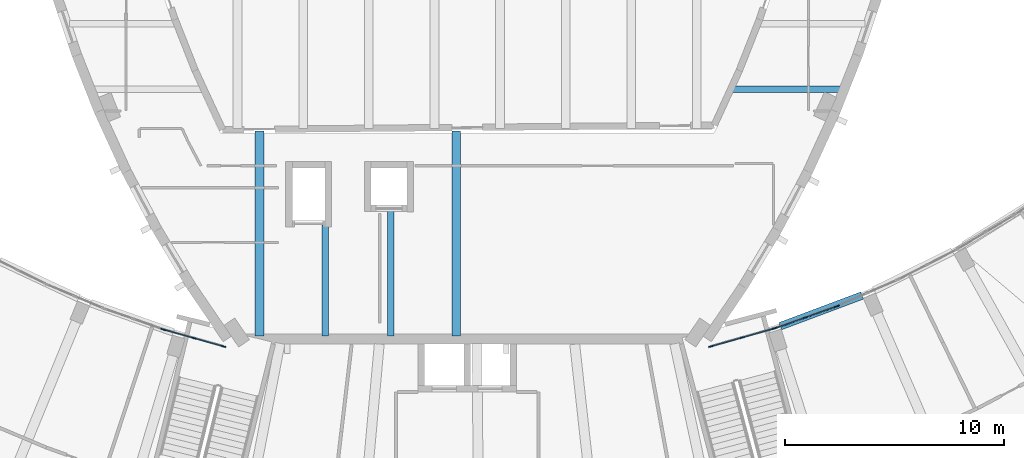
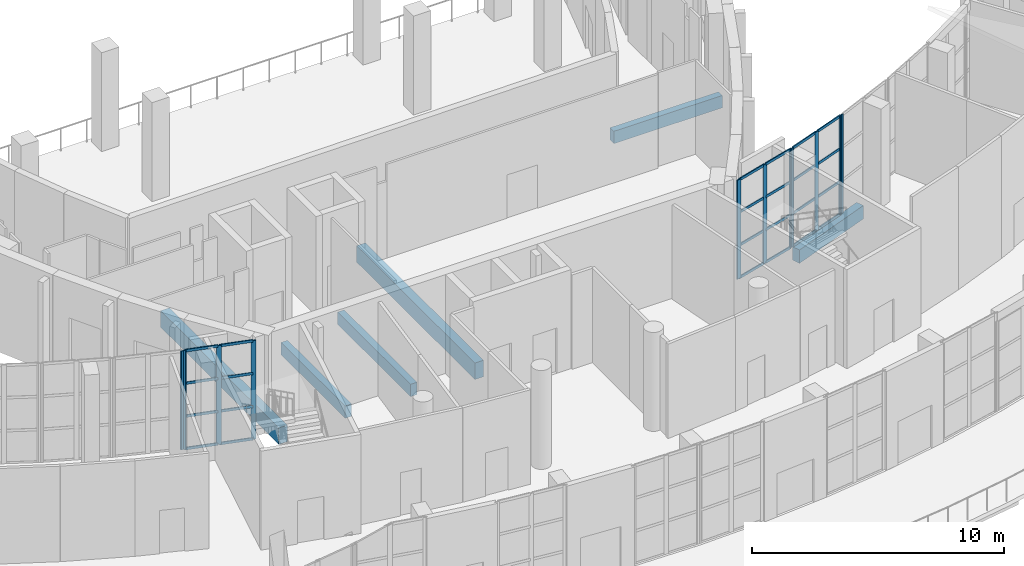
# One storey, part 20 of 93: 35 members, 6 beams, 5 elements without a shape of their own.
"""IFC4 building model written with IfcOpenShell, lengths in metres."""

from ifc_helpers import new_model, si_unit, direction, frame, origin, origin_2d, place, context, subcontext, project, spatial, rectangle, extrude, material, material_profile, profile_set, type_object, element, aggregate, save


model = new_model("IFC4")

# Units and contexts
model_context = context("Model", 3, precision=1e-05, world=origin(), true_north=direction((0.0, 1.0)))
body_context = subcontext(model_context, "Body", "Model", "MODEL_VIEW")
ifc_project = project(units=[si_unit("LENGTHUNIT", "METRE"), si_unit("AREAUNIT", "SQUARE_METRE"), si_unit("VOLUMEUNIT", "CUBIC_METRE"), si_unit("PLANEANGLEUNIT", "RADIAN"), si_unit("MASSUNIT", "GRAM", prefix="KILO")], contexts=[model_context])

# Site, building, storey
site_placement = place(None, origin())
site = spatial("IfcSite", under=ifc_project, at=site_placement, CompositionType="ELEMENT")
building_placement = place(site_placement, origin())
building = spatial("IfcBuilding", under=site, at=building_placement, Name="Tide Square Theatres", CompositionType="ELEMENT")
storey_placement = place(building_placement, frame((0.0, 0.0, 5.39990234375)))
storey = spatial("IfcBuildingStorey", under=building, at=storey_placement, Name="L01", CompositionType="ELEMENT", Elevation=5.39990234375)

# Curtain wall, member
ifc_material_1 = material(Name="Aluminium 6063-T5", Category="aluminium")
curtain_wall_type = type_object("IfcCurtainWallType", Name="Unitised system curtain wall 4800 high", PredefinedType="USERDEFINED", material=ifc_material_1)
curtain_wall_1_placement = place(storey_placement, origin())
curtain_wall_1 = element("IfcCurtainWall", 1, at=curtain_wall_1_placement, inside=storey, type_object=curtain_wall_type, Name="Foyer inner curtain wall", ObjectType="UNITISED SYSTEM", PredefinedType="USERDEFINED")
ifc_material_2 = material(Name="Aluminium 6063-T5", Category="aluminium")
ifc_material_profile_1 = material_profile(ifc_material_2, rectangle(XDim=0.050048828125, YDim=0.199951171875, at=origin_2d()))
ifc_profile_set_1 = profile_set([ifc_material_profile_1], Name="Aluminium 6063-T5")
member_type_1 = type_object("IfcMemberType", Name="Aluminium mullion 50 x 200", PredefinedType="MULLION", material=ifc_profile_set_1)
member_1_placement = place(storey_placement, frame((100.93017578125, 25.09521484375, 0.0), z_axis=(0.0, 0.0, 1.0), x_axis=(0.396980103276, -0.917827215549, 0.0)))
member_1 = element("IfcMember", 2, at=member_1_placement, type_object=member_type_1, Name="CW-02 mullion 3", PredefinedType="MULLION", context=body_context, shape_type="SweptSolid", body=[
    extrude(rectangle(XDim=0.050048828125, YDim=0.199951171875, at=origin_2d()), origin(), (0.0, 0.0, 1.0), 4.800048828125),
])
aggregate(curtain_wall_1, [member_1])

# Curtain wall, members
curtain_wall_2_placement = place(storey_placement, origin())
curtain_wall_2 = element("IfcCurtainWall", 3, at=curtain_wall_2_placement, inside=storey, type_object=curtain_wall_type, Name="Foyer inner curtain wall", ObjectType="UNITISED SYSTEM", PredefinedType="USERDEFINED")
member_2_placement = place(storey_placement, frame((100.8837890625, 25.076904296875, 0.0), z_axis=(0.0, 0.0, 1.0), x_axis=(0.335723260146, -0.941960664039, 0.0)))
member_2 = element("IfcMember", 4, at=member_2_placement, type_object=member_type_1, Name="CW-02 mullion 1", PredefinedType="MULLION", context=body_context, shape_type="SweptSolid", body=[
    extrude(rectangle(XDim=0.050048828125, YDim=0.199951171875, at=origin_2d()), origin(), (0.0, 0.0, 1.0), 4.800048828125),
])
member_3_placement = place(storey_placement, frame((99.4765625, 24.575439453125, 0.0), z_axis=(0.0, 0.0, 1.0), x_axis=(0.335723260146, -0.941960664039, 0.0)))
member_3 = element("IfcMember", 5, at=member_3_placement, type_object=member_type_1, Name="CW-02 mullion 2", PredefinedType="MULLION", context=body_context, shape_type="SweptSolid", body=[
    extrude(rectangle(XDim=0.050048828125, YDim=0.199951171875, at=origin_2d()), origin(), (0.0, 0.0, 1.0), 4.800048828125),
])
member_4_placement = place(storey_placement, frame((98.0693359375, 24.073974609375, 0.0), z_axis=(0.0, 0.0, 1.0), x_axis=(0.335723260146, -0.941960664039, 0.0)))
member_4 = element("IfcMember", 6, at=member_4_placement, type_object=member_type_1, Name="CW-02 mullion 3", PredefinedType="MULLION", context=body_context, shape_type="SweptSolid", body=[
    extrude(rectangle(XDim=0.050048828125, YDim=0.199951171875, at=origin_2d()), origin(), (0.0, 0.0, 1.0), 4.800048828125),
])

curtain_wall_3_placement = place(storey_placement, origin())
curtain_wall_3 = element("IfcCurtainWall", 7, at=curtain_wall_3_placement, inside=storey, type_object=curtain_wall_type, Name="Foyer inner curtain wall", ObjectType="UNITISED SYSTEM", PredefinedType="USERDEFINED")
member_5_placement = place(storey_placement, frame((98.021728515625, 24.05859375, 0.0), z_axis=(0.0, 0.0, 1.0), x_axis=(0.272976223163, -0.962020780227, 0.0)))
member_5 = element("IfcMember", 8, at=member_5_placement, type_object=member_type_1, Name="CW-02 mullion 1", PredefinedType="MULLION", context=body_context, shape_type="SweptSolid", body=[
    extrude(rectangle(XDim=0.050048828125, YDim=0.199951171875, at=origin_2d()), origin(), (0.0, 0.0, 1.0), 4.800048828125),
])
member_6_placement = place(storey_placement, frame((96.578125, 23.649169921875, 0.0), z_axis=(0.0, 0.0, 1.0), x_axis=(0.272976223163, -0.962020780227, 0.0)))
member_6 = element("IfcMember", 9, at=member_6_placement, type_object=member_type_1, Name="CW-02 mullion 2", PredefinedType="MULLION", context=body_context, shape_type="SweptSolid", body=[
    extrude(rectangle(XDim=0.050048828125, YDim=0.199951171875, at=origin_2d()), origin(), (0.0, 0.0, 1.0), 4.800048828125),
])
member_7_placement = place(storey_placement, frame((95.134521484375, 23.239501953125, 0.0), z_axis=(0.0, 0.0, 1.0), x_axis=(0.272976223163, -0.962020780227, 0.0)))
member_7 = element("IfcMember", 10, at=member_7_placement, type_object=member_type_1, Name="CW-02 mullion 3", PredefinedType="MULLION", context=body_context, shape_type="SweptSolid", body=[
    extrude(rectangle(XDim=0.050048828125, YDim=0.199951171875, at=origin_2d()), origin(), (0.0, 0.0, 1.0), 4.800048828125),
])

curtain_wall_4_placement = place(storey_placement, origin())
curtain_wall_4 = element("IfcCurtainWall", 11, at=curtain_wall_4_placement, inside=storey, type_object=curtain_wall_type, Name="Foyer inner curtain wall", ObjectType="UNITISED SYSTEM", PredefinedType="USERDEFINED")
member_8_placement = place(storey_placement, frame((72.86572265625, 23.239501953125, 0.0), z_axis=(0.0, 0.0, 1.0), x_axis=(-0.271328006432, -0.962486941691, 0.0)))
member_8 = element("IfcMember", 12, at=member_8_placement, type_object=member_type_1, Name="CW-02 mullion 1", PredefinedType="MULLION", context=body_context, shape_type="SweptSolid", body=[
    extrude(rectangle(XDim=0.050048828125, YDim=0.199951171875, at=origin_2d()), origin(), (0.0, 0.0, 1.0), 4.800048828125),
])
member_9_placement = place(storey_placement, frame((71.497314453125, 23.625244140625, 0.0), z_axis=(0.0, 0.0, 1.0), x_axis=(-0.271328006432, -0.962486941691, 0.0)))
member_9 = element("IfcMember", 13, at=member_9_placement, type_object=member_type_1, Name="CW-02 mullion 2", PredefinedType="MULLION", context=body_context, shape_type="SweptSolid", body=[
    extrude(rectangle(XDim=0.050048828125, YDim=0.199951171875, at=origin_2d()), origin(), (0.0, 0.0, 1.0), 4.800048828125),
])
member_10_placement = place(storey_placement, frame((70.128662109375, 24.010986328125, 0.0), z_axis=(0.0, 0.0, 1.0), x_axis=(-0.271328006432, -0.962486941691, 0.0)))
member_10 = element("IfcMember", 14, at=member_10_placement, type_object=member_type_1, Name="CW-02 mullion 3", PredefinedType="MULLION", context=body_context, shape_type="SweptSolid", body=[
    extrude(rectangle(XDim=0.050048828125, YDim=0.199951171875, at=origin_2d()), origin(), (0.0, 0.0, 1.0), 4.800048828125),
])

# Curtain wall, member
curtain_wall_5_placement = place(storey_placement, origin())
curtain_wall_5 = element("IfcCurtainWall", 15, at=curtain_wall_5_placement, inside=storey, type_object=curtain_wall_type, Name="Foyer inner curtain wall", ObjectType="UNITISED SYSTEM", PredefinedType="USERDEFINED")
member_11_placement = place(storey_placement, frame((70.0810546875, 24.02587890625, 0.0), z_axis=(0.0, 0.0, 1.0), x_axis=(-0.330876191147, -0.943674173713, 0.0)))
member_11 = element("IfcMember", 16, at=member_11_placement, type_object=member_type_1, Name="CW-02 mullion 1", PredefinedType="MULLION", context=body_context, shape_type="SweptSolid", body=[
    extrude(rectangle(XDim=0.050048828125, YDim=0.199951171875, at=origin_2d()), origin(), (0.0, 0.0, 1.0), 4.800048828125),
])
aggregate(curtain_wall_5, [member_11])

# Member
ifc_material_3 = material(Name="Aluminium 6063-T5", Category="aluminium")
ifc_material_profile_2 = material_profile(ifc_material_3, rectangle(XDim=0.050048828125, YDim=0.125, at=origin_2d()))
ifc_profile_set_2 = profile_set([ifc_material_profile_2], Name="Aluminium 6063-T5")
member_type_2 = type_object("IfcMemberType", Name="Aluminium transom 50 x 125", PredefinedType="USERDEFINED", material=ifc_profile_set_2)
member_12_placement = place(storey_placement, frame((100.860107421875, 25.068603515625, 0.025146484375), z_axis=(-0.941936843853, -0.3357900865, 0.0), x_axis=(0.3357900865, -0.941936843853, 0.0)))
member_12 = element("IfcMember", 17, at=member_12_placement, type_object=member_type_2, Name="CW-02 transom 1.1", ObjectType="TRANSOM", PredefinedType="USERDEFINED", context=body_context, shape_type="SweptSolid", body=[
    extrude(rectangle(XDim=0.050048828125, YDim=0.125, at=origin_2d()), origin(), (0.0, 0.0, 1.0), 1.44384765625),
])

member_13_placement = place(storey_placement, frame((100.860107421875, 25.068603515625, 1.60009765625), z_axis=(-0.941936843853, -0.3357900865, 0.0), x_axis=(0.3357900865, -0.941936843853, 0.0)))
member_13 = element("IfcMember", 18, at=member_13_placement, type_object=member_type_2, Name="CW-02 transom 1.2", ObjectType="TRANSOM", PredefinedType="USERDEFINED", context=body_context, shape_type="SweptSolid", body=[
    extrude(rectangle(XDim=0.050048828125, YDim=0.125, at=origin_2d()), origin(), (0.0, 0.0, 1.0), 1.44384765625),
])

member_14_placement = place(storey_placement, frame((100.860107421875, 25.068603515625, 3.2001953125), z_axis=(-0.941936843853, -0.3357900865, 0.0), x_axis=(0.3357900865, -0.941936843853, 0.0)))
member_14 = element("IfcMember", 19, at=member_14_placement, type_object=member_type_2, Name="CW-02 transom 1.3", ObjectType="TRANSOM", PredefinedType="USERDEFINED", context=body_context, shape_type="SweptSolid", body=[
    extrude(rectangle(XDim=0.050048828125, YDim=0.125, at=origin_2d()), origin(), (0.0, 0.0, 1.0), 1.44384765625),
])

member_15_placement = place(storey_placement, frame((100.860107421875, 25.068603515625, 4.775146484375), z_axis=(-0.941936843853, -0.3357900865, 0.0), x_axis=(0.3357900865, -0.941936843853, 0.0)))
member_15 = element("IfcMember", 20, at=member_15_placement, type_object=member_type_2, Name="CW-02 transom 1.4", ObjectType="TRANSOM", PredefinedType="USERDEFINED", context=body_context, shape_type="SweptSolid", body=[
    extrude(rectangle(XDim=0.050048828125, YDim=0.125, at=origin_2d()), origin(), (0.0, 0.0, 1.0), 1.44384765625),
])

member_16_placement = place(storey_placement, frame((99.452880859375, 24.567138671875, 0.025146484375), z_axis=(-0.941936843853, -0.3357900865, 0.0), x_axis=(0.3357900865, -0.941936843853, 0.0)))
member_16 = element("IfcMember", 21, at=member_16_placement, type_object=member_type_2, Name="CW-02 transom 2.1", ObjectType="TRANSOM", PredefinedType="USERDEFINED", context=body_context, shape_type="SweptSolid", body=[
    extrude(rectangle(XDim=0.050048828125, YDim=0.125, at=origin_2d()), origin(), (0.0, 0.0, 1.0), 1.44384765625),
])

member_17_placement = place(storey_placement, frame((99.452880859375, 24.567138671875, 1.60009765625), z_axis=(-0.941936843853, -0.3357900865, 0.0), x_axis=(0.3357900865, -0.941936843853, 0.0)))
member_17 = element("IfcMember", 22, at=member_17_placement, type_object=member_type_2, Name="CW-02 transom 2.2", ObjectType="TRANSOM", PredefinedType="USERDEFINED", context=body_context, shape_type="SweptSolid", body=[
    extrude(rectangle(XDim=0.050048828125, YDim=0.125, at=origin_2d()), origin(), (0.0, 0.0, 1.0), 1.44384765625),
])

member_18_placement = place(storey_placement, frame((99.452880859375, 24.567138671875, 3.2001953125), z_axis=(-0.941936843853, -0.3357900865, 0.0), x_axis=(0.3357900865, -0.941936843853, 0.0)))
member_18 = element("IfcMember", 23, at=member_18_placement, type_object=member_type_2, Name="CW-02 transom 2.3", ObjectType="TRANSOM", PredefinedType="USERDEFINED", context=body_context, shape_type="SweptSolid", body=[
    extrude(rectangle(XDim=0.050048828125, YDim=0.125, at=origin_2d()), origin(), (0.0, 0.0, 1.0), 1.44384765625),
])

member_19_placement = place(storey_placement, frame((99.452880859375, 24.567138671875, 4.775146484375), z_axis=(-0.941936843853, -0.3357900865, 0.0), x_axis=(0.3357900865, -0.941936843853, 0.0)))
member_19 = element("IfcMember", 24, at=member_19_placement, type_object=member_type_2, Name="CW-02 transom 2.4", ObjectType="TRANSOM", PredefinedType="USERDEFINED", context=body_context, shape_type="SweptSolid", body=[
    extrude(rectangle(XDim=0.050048828125, YDim=0.125, at=origin_2d()), origin(), (0.0, 0.0, 1.0), 1.44384765625),
])

aggregate(curtain_wall_2, [member_2, member_3, member_4, member_12, member_13, member_14, member_15, member_16, member_17, member_18, member_19])

member_20_placement = place(storey_placement, frame((97.99755859375, 24.0517578125, 0.025146484375), z_axis=(-0.962017765693, -0.272986846738, 0.0), x_axis=(0.272986846738, -0.962017765693, 0.0)))
member_20 = element("IfcMember", 25, at=member_20_placement, type_object=member_type_2, Name="CW-02 transom 1.1", ObjectType="TRANSOM", PredefinedType="USERDEFINED", context=body_context, shape_type="SweptSolid", body=[
    extrude(rectangle(XDim=0.050048828125, YDim=0.125, at=origin_2d()), origin(), (0.0, 0.0, 1.0), 1.45068359375),
])

member_21_placement = place(storey_placement, frame((97.99755859375, 24.0517578125, 1.60009765625), z_axis=(-0.962017765693, -0.272986846738, 0.0), x_axis=(0.272986846738, -0.962017765693, 0.0)))
member_21 = element("IfcMember", 26, at=member_21_placement, type_object=member_type_2, Name="CW-02 transom 1.2", ObjectType="TRANSOM", PredefinedType="USERDEFINED", context=body_context, shape_type="SweptSolid", body=[
    extrude(rectangle(XDim=0.050048828125, YDim=0.125, at=origin_2d()), origin(), (0.0, 0.0, 1.0), 1.45068359375),
])

member_22_placement = place(storey_placement, frame((97.99755859375, 24.0517578125, 3.2001953125), z_axis=(-0.962017765693, -0.272986846738, 0.0), x_axis=(0.272986846738, -0.962017765693, 0.0)))
member_22 = element("IfcMember", 27, at=member_22_placement, type_object=member_type_2, Name="CW-02 transom 1.3", ObjectType="TRANSOM", PredefinedType="USERDEFINED", context=body_context, shape_type="SweptSolid", body=[
    extrude(rectangle(XDim=0.050048828125, YDim=0.125, at=origin_2d()), origin(), (0.0, 0.0, 1.0), 1.45068359375),
])

member_23_placement = place(storey_placement, frame((97.99755859375, 24.0517578125, 4.775146484375), z_axis=(-0.962017765693, -0.272986846738, 0.0), x_axis=(0.272986846738, -0.962017765693, 0.0)))
member_23 = element("IfcMember", 28, at=member_23_placement, type_object=member_type_2, Name="CW-02 transom 1.4", ObjectType="TRANSOM", PredefinedType="USERDEFINED", context=body_context, shape_type="SweptSolid", body=[
    extrude(rectangle(XDim=0.050048828125, YDim=0.125, at=origin_2d()), origin(), (0.0, 0.0, 1.0), 1.45068359375),
])

member_24_placement = place(storey_placement, frame((96.553955078125, 23.642333984375, 0.025146484375), z_axis=(-0.962017765693, -0.272986846738, 0.0), x_axis=(0.272986846738, -0.962017765693, 0.0)))
member_24 = element("IfcMember", 29, at=member_24_placement, type_object=member_type_2, Name="CW-02 transom 2.1", ObjectType="TRANSOM", PredefinedType="USERDEFINED", context=body_context, shape_type="SweptSolid", body=[
    extrude(rectangle(XDim=0.050048828125, YDim=0.125, at=origin_2d()), origin(), (0.0, 0.0, 1.0), 1.45068359375),
])

member_25_placement = place(storey_placement, frame((96.553955078125, 23.642333984375, 1.60009765625), z_axis=(-0.962017765693, -0.272986846738, 0.0), x_axis=(0.272986846738, -0.962017765693, 0.0)))
member_25 = element("IfcMember", 30, at=member_25_placement, type_object=member_type_2, Name="CW-02 transom 2.2", ObjectType="TRANSOM", PredefinedType="USERDEFINED", context=body_context, shape_type="SweptSolid", body=[
    extrude(rectangle(XDim=0.050048828125, YDim=0.125, at=origin_2d()), origin(), (0.0, 0.0, 1.0), 1.45068359375),
])

member_26_placement = place(storey_placement, frame((96.553955078125, 23.642333984375, 3.2001953125), z_axis=(-0.962017765693, -0.272986846738, 0.0), x_axis=(0.272986846738, -0.962017765693, 0.0)))
member_26 = element("IfcMember", 31, at=member_26_placement, type_object=member_type_2, Name="CW-02 transom 2.3", ObjectType="TRANSOM", PredefinedType="USERDEFINED", context=body_context, shape_type="SweptSolid", body=[
    extrude(rectangle(XDim=0.050048828125, YDim=0.125, at=origin_2d()), origin(), (0.0, 0.0, 1.0), 1.45068359375),
])

member_27_placement = place(storey_placement, frame((96.553955078125, 23.642333984375, 4.775146484375), z_axis=(-0.962017765693, -0.272986846738, 0.0), x_axis=(0.272986846738, -0.962017765693, 0.0)))
member_27 = element("IfcMember", 32, at=member_27_placement, type_object=member_type_2, Name="CW-02 transom 2.4", ObjectType="TRANSOM", PredefinedType="USERDEFINED", context=body_context, shape_type="SweptSolid", body=[
    extrude(rectangle(XDim=0.050048828125, YDim=0.125, at=origin_2d()), origin(), (0.0, 0.0, 1.0), 1.45068359375),
])

aggregate(curtain_wall_3, [member_5, member_6, member_7, member_20, member_21, member_22, member_23, member_24, member_25, member_26, member_27])

member_28_placement = place(storey_placement, frame((72.841552734375, 23.24609375, 0.025146484375), z_axis=(-0.962465173687, 0.271405212624, 0.0), x_axis=(-0.271405212624, -0.962465173687, 0.0)))
member_28 = element("IfcMember", 33, at=member_28_placement, type_object=member_type_2, Name="CW-02 transom 1.1", ObjectType="TRANSOM", PredefinedType="USERDEFINED", context=body_context, shape_type="SweptSolid", body=[
    extrude(rectangle(XDim=0.050048828125, YDim=0.125, at=origin_2d()), origin(), (0.0, 0.0, 1.0), 1.371826171875),
])

member_29_placement = place(storey_placement, frame((72.841552734375, 23.24609375, 1.60009765625), z_axis=(-0.962465173687, 0.271405212624, 0.0), x_axis=(-0.271405212624, -0.962465173687, 0.0)))
member_29 = element("IfcMember", 34, at=member_29_placement, type_object=member_type_2, Name="CW-02 transom 1.2", ObjectType="TRANSOM", PredefinedType="USERDEFINED", context=body_context, shape_type="SweptSolid", body=[
    extrude(rectangle(XDim=0.050048828125, YDim=0.125, at=origin_2d()), origin(), (0.0, 0.0, 1.0), 1.371826171875),
])

member_30_placement = place(storey_placement, frame((72.841552734375, 23.24609375, 3.2001953125), z_axis=(-0.962465173687, 0.271405212624, 0.0), x_axis=(-0.271405212624, -0.962465173687, 0.0)))
member_30 = element("IfcMember", 35, at=member_30_placement, type_object=member_type_2, Name="CW-02 transom 1.3", ObjectType="TRANSOM", PredefinedType="USERDEFINED", context=body_context, shape_type="SweptSolid", body=[
    extrude(rectangle(XDim=0.050048828125, YDim=0.125, at=origin_2d()), origin(), (0.0, 0.0, 1.0), 1.371826171875),
])

member_31_placement = place(storey_placement, frame((72.841552734375, 23.24609375, 4.775146484375), z_axis=(-0.962465173687, 0.271405212624, 0.0), x_axis=(-0.271405212624, -0.962465173687, 0.0)))
member_31 = element("IfcMember", 36, at=member_31_placement, type_object=member_type_2, Name="CW-02 transom 1.4", ObjectType="TRANSOM", PredefinedType="USERDEFINED", context=body_context, shape_type="SweptSolid", body=[
    extrude(rectangle(XDim=0.050048828125, YDim=0.125, at=origin_2d()), origin(), (0.0, 0.0, 1.0), 1.371826171875),
])

member_32_placement = place(storey_placement, frame((71.47314453125, 23.6318359375, 0.025146484375), z_axis=(-0.962465173687, 0.271405212624, 0.0), x_axis=(-0.271405212624, -0.962465173687, 0.0)))
member_32 = element("IfcMember", 37, at=member_32_placement, type_object=member_type_2, Name="CW-02 transom 2.1", ObjectType="TRANSOM", PredefinedType="USERDEFINED", context=body_context, shape_type="SweptSolid", body=[
    extrude(rectangle(XDim=0.050048828125, YDim=0.125, at=origin_2d()), origin(), (0.0, 0.0, 1.0), 1.371826171875),
])

member_33_placement = place(storey_placement, frame((71.47314453125, 23.6318359375, 1.60009765625), z_axis=(-0.962465173687, 0.271405212624, 0.0), x_axis=(-0.271405212624, -0.962465173687, 0.0)))
member_33 = element("IfcMember", 38, at=member_33_placement, type_object=member_type_2, Name="CW-02 transom 2.2", ObjectType="TRANSOM", PredefinedType="USERDEFINED", context=body_context, shape_type="SweptSolid", body=[
    extrude(rectangle(XDim=0.050048828125, YDim=0.125, at=origin_2d()), origin(), (0.0, 0.0, 1.0), 1.371826171875),
])

member_34_placement = place(storey_placement, frame((71.47314453125, 23.6318359375, 3.2001953125), z_axis=(-0.962465173687, 0.271405212624, 0.0), x_axis=(-0.271405212624, -0.962465173687, 0.0)))
member_34 = element("IfcMember", 39, at=member_34_placement, type_object=member_type_2, Name="CW-02 transom 2.3", ObjectType="TRANSOM", PredefinedType="USERDEFINED", context=body_context, shape_type="SweptSolid", body=[
    extrude(rectangle(XDim=0.050048828125, YDim=0.125, at=origin_2d()), origin(), (0.0, 0.0, 1.0), 1.371826171875),
])

member_35_placement = place(storey_placement, frame((71.47314453125, 23.6318359375, 4.775146484375), z_axis=(-0.962465173687, 0.271405212624, 0.0), x_axis=(-0.271405212624, -0.962465173687, 0.0)))
member_35 = element("IfcMember", 40, at=member_35_placement, type_object=member_type_2, Name="CW-02 transom 2.4", ObjectType="TRANSOM", PredefinedType="USERDEFINED", context=body_context, shape_type="SweptSolid", body=[
    extrude(rectangle(XDim=0.050048828125, YDim=0.125, at=origin_2d()), origin(), (0.0, 0.0, 1.0), 1.371826171875),
])

aggregate(curtain_wall_4, [member_8, member_9, member_10, member_28, member_29, member_30, member_31, member_32, member_33, member_34, member_35])

# Beams
ifc_material_4 = material(Name="Concrete C35", Category="concrete")
ifc_material_profile_3 = material_profile(ifc_material_4, rectangle(XDim=0.300048828125, YDim=0.60009765625, at=origin_2d()))
ifc_profile_set_3 = profile_set([ifc_material_profile_3], Name="Concrete C35")
beam_type_1 = type_object("IfcBeamType", Name="RC beam 300 x 600", PredefinedType="BEAM", material=ifc_profile_set_3)
beam_1_placement = place(storey_placement, frame((77.5, 23.70751953125, -0.5498046875), z_axis=(0.0, 1.0, 0.0), x_axis=(-1.0, 0.0, 0.0)))
element("IfcBeam", 41, at=beam_1_placement, inside=storey, type_object=beam_type_1, Name="Floor beam", PredefinedType="BEAM", context=body_context, shape_type="SweptSolid", body=[
    extrude(rectangle(XDim=0.300048828125, YDim=0.60009765625, at=origin_2d()), origin(), (0.0, 0.0, 1.0), 5.092529296875),
])
beam_2_placement = place(storey_placement, frame((80.5, 23.70751953125, -0.5498046875), z_axis=(0.0, 1.0, 0.0), x_axis=(-1.0, 0.0, 0.0)))
element("IfcBeam", 42, at=beam_2_placement, inside=storey, type_object=beam_type_1, Name="Floor beam", PredefinedType="BEAM", context=body_context, shape_type="SweptSolid", body=[
    extrude(rectangle(XDim=0.300048828125, YDim=0.60009765625, at=origin_2d()), origin(), (0.0, 0.0, 1.0), 5.79248046875),
])
beam_3_placement = place(storey_placement, frame((96.111328125, 35.0, -0.5498046875), z_axis=(1.0, 0.0, 0.0), x_axis=(0.0, 1.0, 0.0)))
element("IfcBeam", 43, at=beam_3_placement, inside=storey, type_object=beam_type_1, Name="Floor beam", PredefinedType="BEAM", context=body_context, shape_type="SweptSolid", body=[
    extrude(rectangle(XDim=0.300048828125, YDim=0.60009765625, at=origin_2d()), origin(), (0.0, 0.0, 1.0), 4.98095703125),
])
ifc_material_5 = material(Name="Concrete C35", Category="concrete")
ifc_material_profile_4 = material_profile(ifc_material_5, rectangle(XDim=0.39990234375, YDim=0.800048828125, at=origin_2d()))
ifc_profile_set_4 = profile_set([ifc_material_profile_4], Name="Concrete C35")
beam_type_2 = type_object("IfcBeamType", Name="RC beam 400 x 800", PredefinedType="BEAM", material=ifc_profile_set_4)
for number, where, z_axis, x_axis, name in (
    (44, (74.5, 23.70751953125, -0.64990234375), (0.0, 1.0, 0.0), (-1.0, 0.0, 0.0), "Floor beam"),
    (45, (83.5, 23.70751953125, -0.64990234375), (0.0, 1.0, 0.0), (-1.0, 0.0, 0.0), "Floor beam"),
):
    element("IfcBeam", number, at=place(storey_placement, frame(where, z_axis=z_axis, x_axis=x_axis)), inside=storey, type_object=beam_type_2, Name=name, PredefinedType="BEAM", context=body_context, shape_type="SweptSolid", body=[
        extrude(rectangle(XDim=0.39990234375, YDim=0.800048828125, at=origin_2d()), origin(), (0.0, 0.0, 1.0), 9.392578125),
    ])
ifc_material_6 = material(Name="Concrete C35", Category="concrete")
ifc_material_profile_5 = material_profile(ifc_material_6, rectangle(XDim=0.35009765625, YDim=0.64990234375, at=origin_2d()))
ifc_profile_set_5 = profile_set([ifc_material_profile_5], Name="Concrete C35")
beam_type_3 = type_object("IfcBeamType", Name="RC spandrel beam 350 x 650", PredefinedType="SPANDREL", material=ifc_profile_set_5)
beam_4_placement = place(storey_placement, frame((98.310791015625, 24.166015625, -0.544921875), z_axis=(0.936278975962, 0.351257283442, 0.0), x_axis=(-0.351257283442, 0.936278975962, 0.0)))
element("IfcBeam", 46, at=beam_4_placement, inside=storey, type_object=beam_type_3, Name="Foyer inner spandrel beam", PredefinedType="SPANDREL", context=body_context, shape_type="SweptSolid", body=[
    extrude(rectangle(XDim=0.35009765625, YDim=0.64990234375, at=origin_2d()), origin(), (0.0, 0.0, 1.0), 3.997802734375),
])

save(model, "model.ifc")
